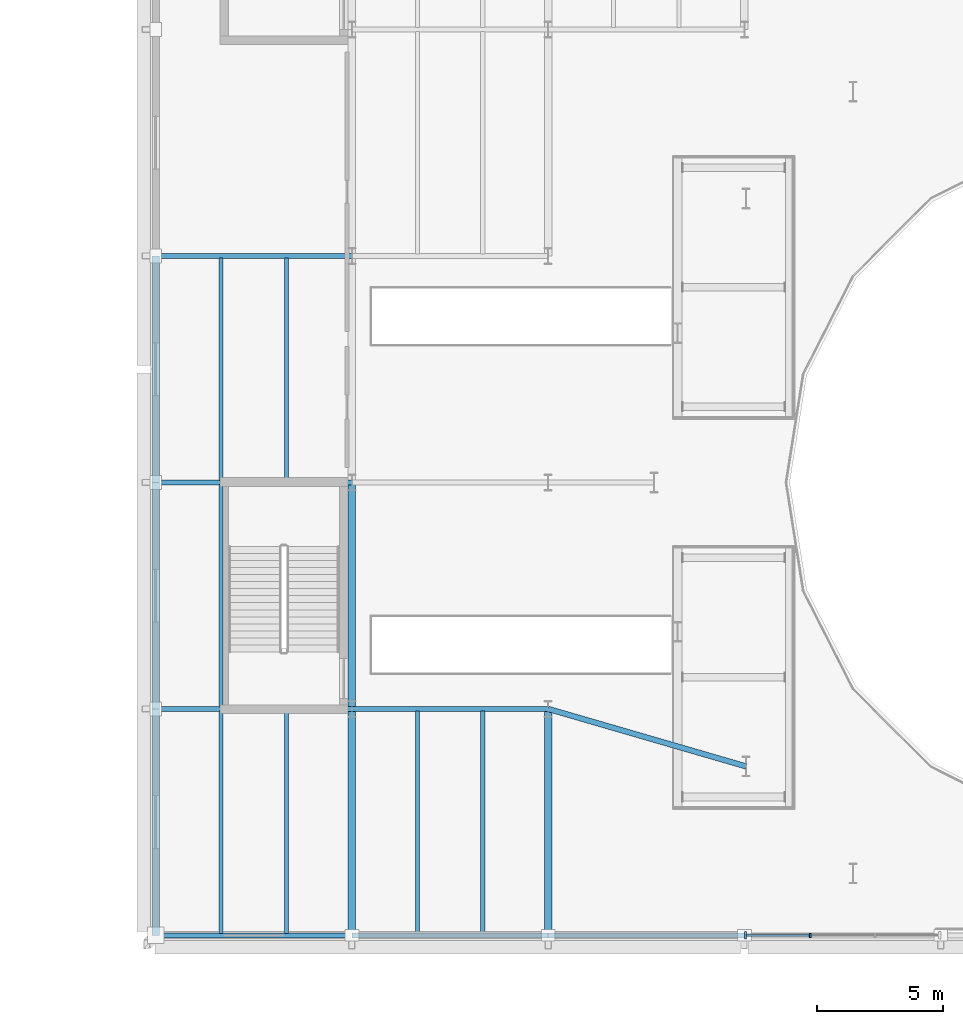
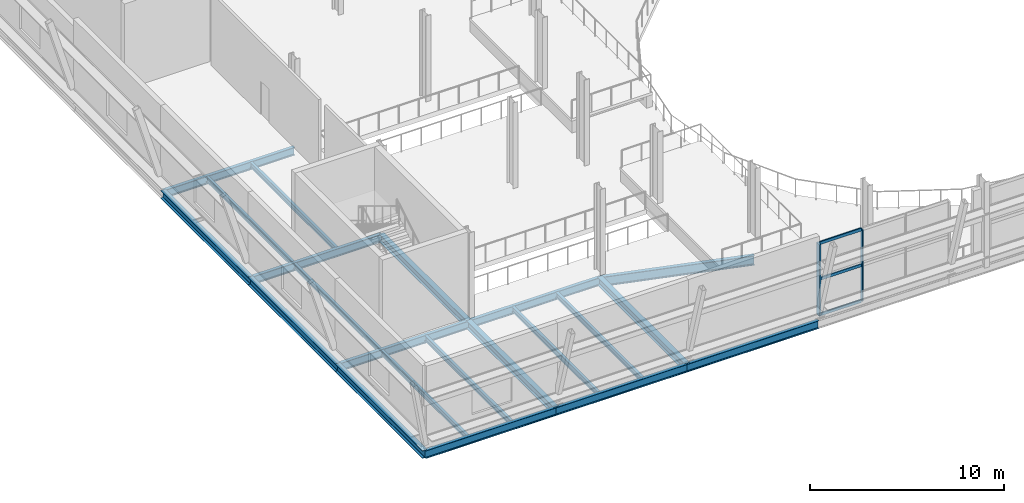
# One storey, part 16 of 78: 21 beams, 5 members, 1 element without a shape of its own.
"""IFC4 building model written with IfcOpenShell, lengths in metres."""

from ifc_helpers import new_model, si_unit, direction, frame, origin, origin_2d, place, context, subcontext, project, spatial, rectangle, i_section, extrude, material, layer, layer_set, material_profile, profile_set, type_object, element, aggregate, save


model = new_model("IFC4")

# Units and contexts
model_context = context("Model", 3, precision=1e-05, world=origin(), true_north=direction((0.0, 1.0)))
body_context = subcontext(model_context, "Body", "Model", "MODEL_VIEW")
ifc_project = project(units=[si_unit("LENGTHUNIT", "METRE"), si_unit("AREAUNIT", "SQUARE_METRE"), si_unit("VOLUMEUNIT", "CUBIC_METRE"), si_unit("PLANEANGLEUNIT", "RADIAN"), si_unit("MASSUNIT", "GRAM", prefix="KILO")], contexts=[model_context])

# Site, building, storey
site_placement = place(None, origin())
site = spatial("IfcSite", under=ifc_project, at=site_placement, CompositionType="ELEMENT")
building_placement = place(site_placement, origin())
building = spatial("IfcBuilding", under=site, at=building_placement, Name="Sefraquen Railside Congress Hotel", CompositionType="ELEMENT")
storey_placement = place(building_placement, frame((0.0, 0.0, 6.0)))
storey = spatial("IfcBuildingStorey", under=building, at=storey_placement, Name="L01", CompositionType="ELEMENT", Elevation=6.0)

# Beams
ifc_material_1 = material(Name="Steel S355JR", Category="steel")
ifc_material_profile_1 = material_profile(ifc_material_1, i_section(OverallWidth=0.199951171875, OverallDepth=0.5, WebThickness=0.01025390625, FlangeThickness=0.01611328125, FilletRadius=0.02099609375, at=origin_2d()), Name="IPE 500")
ifc_profile_set_1 = profile_set([ifc_material_profile_1], Name="Steel S355JR")
beam_type_1 = type_object("IfcBeamType", Name="TB-BM-500", PredefinedType="BEAM", material=ifc_profile_set_1)
for number, where, z_axis, x_axis, name in (
    (1, (25.199951171875, 9.0, -0.550048828125), (1.0, 0.0, 0.0), (0.0, 1.0, 0.0), "Primary girder BM-L01-0339"),
    (2, (33.0, 9.0, -0.550048828125), (1.0, 0.0, 0.0), (0.0, 1.0, 0.0), "Primary girder BM-L01-0340"),
    (3, (40.800048828125, 9.0, -0.550048828125), (1.0, 0.0, 0.0), (0.0, 1.0, 0.0), "Primary girder BM-L01-0341"),
    (4, (25.199951171875, 18.0, -0.550048828125), (1.0, 0.0, 0.0), (0.0, 1.0, 0.0), "Primary girder BM-L01-0355"),
    (5, (33.0, 18.0, -0.550048828125), (1.0, 0.0, 0.0), (0.0, 1.0, 0.0), "Primary girder BM-L01-0356"),
    (6, (25.199951171875, 27.0, -0.550048828125), (1.0, 0.0, 0.0), (0.0, 1.0, 0.0), "Primary girder BM-L01-0365"),
    (7, (25.199951171875, 36.0, -0.550048828125), (1.0, 0.0, 0.0), (0.0, 1.0, 0.0), "Primary girder BM-L01-0372"),
):
    element("IfcBeam", number, at=place(storey_placement, frame(where, z_axis=z_axis, x_axis=x_axis)), inside=storey, type_object=beam_type_1, Name=name, PredefinedType="BEAM", context=body_context, shape_type="SweptSolid", body=[
        extrude(i_section(OverallWidth=0.199951171875, OverallDepth=0.5, WebThickness=0.01025390625, FlangeThickness=0.01611328125, FilletRadius=0.02099609375, at=origin_2d()), origin(), (0.0, 0.0, 1.0), 7.800048828125),
    ])
ifc_material_profile_2 = material_profile(ifc_material_1, i_section(OverallWidth=0.300048828125, OverallDepth=0.489990234375, WebThickness=0.011962890625, FlangeThickness=0.02294921875, FilletRadius=0.027099609375, at=origin_2d()), Name="HEA 500")
ifc_profile_set_2 = profile_set([ifc_material_profile_2], Name="Steel S355JR")
beam_type_2 = type_object("IfcBeamType", Name="TB-GIR-500", PredefinedType="T_BEAM", material=ifc_profile_set_2)
for number, where, z_axis, x_axis, name in (
    (8, (25.199951171875, 9.0, -0.544921875), (0.0, 1.0, 0.0), (-1.0, 0.0, 0.0), "Floor beam BM-L01-0522"),
    (9, (25.199951171875, 18.0, -0.544921875), (0.0, 1.0, 0.0), (-1.0, 0.0, 0.0), "Floor beam BM-L01-0523"),
    (10, (25.199951171875, 27.0, -0.544921875), (0.0, 1.0, 0.0), (-1.0, 0.0, 0.0), "Floor beam BM-L01-0524"),
    (11, (33.0, 9.0, -0.544921875), (0.0, 1.0, 0.0), (-1.0, 0.0, 0.0), "Floor beam BM-L01-0535"),
    (12, (33.0, 18.0, -0.544921875), (0.0, 1.0, 0.0), (-1.0, 0.0, 0.0), "Floor beam BM-L01-0536"),
    (13, (40.800048828125, 9.0, -0.544921875), (0.0, 1.0, 0.0), (-1.0, 0.0, 0.0), "Floor beam BM-L01-0548"),
):
    element("IfcBeam", number, at=place(storey_placement, frame(where, z_axis=z_axis, x_axis=x_axis)), inside=storey, type_object=beam_type_2, Name=name, PredefinedType="T_BEAM", context=body_context, shape_type="SweptSolid", body=[
        extrude(i_section(OverallWidth=0.300048828125, OverallDepth=0.489990234375, WebThickness=0.011962890625, FlangeThickness=0.02294921875, FilletRadius=0.027099609375, at=origin_2d()), origin(), (0.0, 0.0, 1.0), 9.0),
    ])
ifc_material_profile_3 = material_profile(ifc_material_1, i_section(OverallWidth=0.219970703125, OverallDepth=0.60009765625, WebThickness=0.011962890625, FlangeThickness=0.01904296875, FilletRadius=0.02392578125, at=origin_2d()), Name="IPE 600")
ifc_profile_set_3 = profile_set([ifc_material_profile_3], Name="Steel S355JR")
beam_type_3 = type_object("IfcBeamType", Name="TB-GIR-600", PredefinedType="T_BEAM", material=ifc_profile_set_3)
beam_placement = place(storey_placement, frame((40.800048828125, 18.0, -0.60009765625), z_axis=(0.960298850568, -0.278973327753, 0.0), x_axis=(0.278973327753, 0.960298850568, 0.0)))
element("IfcBeam", 14, at=beam_placement, inside=storey, type_object=beam_type_3, Name="Canopy back-span header girder", PredefinedType="T_BEAM", context=body_context, shape_type="SweptSolid", body=[
    extrude(i_section(OverallWidth=0.219970703125, OverallDepth=0.60009765625, WebThickness=0.011962890625, FlangeThickness=0.01904296875, FilletRadius=0.02392578125, at=origin_2d()), origin(), (0.0, 0.0, 1.0), 8.192138671875),
])
ifc_material_profile_4 = material_profile(ifc_material_1, i_section(OverallWidth=0.159912109375, OverallDepth=0.330078125, WebThickness=0.007568359375, FlangeThickness=0.011474609375, FilletRadius=0.01806640625, at=origin_2d()), Name="IPE 330")
ifc_profile_set_4 = profile_set([ifc_material_profile_4], Name="Steel S355JR")
beam_type_4 = type_object("IfcBeamType", Name="TB-JST-330", PredefinedType="JOIST", material=ifc_profile_set_4)
for number, where, z_axis, x_axis, name in (
    (15, (27.800048828125, 9.080078125, -0.465087890625), (0.0, 1.0, 0.0), (-1.0, 0.0, 0.0), "Composite floor joist BM-L01-J0229"),
    (16, (30.39990234375, 9.080078125, -0.465087890625), (0.0, 1.0, 0.0), (-1.0, 0.0, 0.0), "Composite floor joist BM-L01-J0230"),
    (17, (27.800048828125, 18.080078125, -0.465087890625), (0.0, 1.0, 0.0), (-1.0, 0.0, 0.0), "Composite floor joist BM-L01-J0231"),
    (18, (27.800048828125, 27.080078125, -0.465087890625), (0.0, 1.0, 0.0), (-1.0, 0.0, 0.0), "Composite floor joist BM-L01-J0232"),
    (19, (30.39990234375, 27.080078125, -0.465087890625), (0.0, 1.0, 0.0), (-1.0, 0.0, 0.0), "Composite floor joist BM-L01-J0233"),
    (20, (35.60009765625, 9.080078125, -0.465087890625), (0.0, 1.0, 0.0), (-1.0, 0.0, 0.0), "Composite floor joist BM-L01-J0246"),
    (21, (38.199951171875, 9.080078125, -0.465087890625), (0.0, 1.0, 0.0), (-1.0, 0.0, 0.0), "Composite floor joist BM-L01-J0247"),
):
    element("IfcBeam", number, at=place(storey_placement, frame(where, z_axis=z_axis, x_axis=x_axis)), inside=storey, type_object=beam_type_4, Name=name, PredefinedType="JOIST", context=body_context, shape_type="SweptSolid", body=[
        extrude(i_section(OverallWidth=0.159912109375, OverallDepth=0.330078125, WebThickness=0.007568359375, FlangeThickness=0.011474609375, FilletRadius=0.01806640625, at=origin_2d()), origin(), (0.0, 0.0, 1.0), 8.83984375),
    ])

# Curtain wall, members
ifc_material_2 = material(Name="Thermally broken anodised aluminium and low-E double glazing", Category="aluminium")
ifc_layer = layer(ifc_material_2, 0.199951171875)
ifc_layer_set = layer_set([ifc_layer], Name="Thermally broken anodised aluminium and low-E double glazing")
curtain_wall_type = type_object("IfcCurtainWallType", Name="TCW-UCW-05", PredefinedType="USERDEFINED", material=ifc_layer_set)
curtain_wall_placement = place(storey_placement, origin())
curtain_wall = element("IfcCurtainWall", 22, at=curtain_wall_placement, inside=storey, type_object=curtain_wall_type, Name="Congress leaning south curtain wall L01-4", ObjectType="UNITISED CURTAIN WALL", PredefinedType="USERDEFINED")
ifc_material_3 = material(Name="Thermally broken anodised aluminium 6063-T6", Category="aluminium")
ifc_material_profile_5 = material_profile(ifc_material_3, rectangle(XDim=0.06494140625, YDim=0.179931640625, at=origin_2d()), Name="CWM 65x180")
ifc_profile_set_5 = profile_set([ifc_material_profile_5], Name="Thermally broken anodised aluminium 6063-T6")
member_type_1 = type_object("IfcMemberType", Name="TM-CWM-02", PredefinedType="MULLION", material=ifc_profile_set_5)
member_1_placement = place(storey_placement, frame((51.21337890625, 9.0, 0.0), z_axis=(0.0, 0.0, 1.0), x_axis=(1.0, 0.0, 0.0)))
member_1 = element("IfcMember", 23, at=member_1_placement, type_object=member_type_1, Name="CW-L01-037 mullion 2", PredefinedType="MULLION", context=body_context, shape_type="SweptSolid", body=[
    extrude(rectangle(XDim=0.06494140625, YDim=0.179931640625, at=origin_2d()), origin(), (0.0, 0.0, 1.0), 4.5),
])
ifc_material_profile_6 = material_profile(ifc_material_3, rectangle(XDim=0.094970703125, YDim=0.300048828125, at=origin_2d()), Name="CWM 95x300")
ifc_profile_set_6 = profile_set([ifc_material_profile_6], Name="Thermally broken anodised aluminium 6063-T6")
member_type_2 = type_object("IfcMemberType", Name="TM-CWM-08", PredefinedType="MULLION", material=ifc_profile_set_6)
member_2_placement = place(storey_placement, frame((48.639892578125, 9.0, 0.0), z_axis=(0.0, 0.0, 1.0), x_axis=(1.0, 0.0, 0.0)))
member_2 = element("IfcMember", 24, at=member_2_placement, type_object=member_type_2, Name="CW-L01-037 mullion 1", PredefinedType="MULLION", context=body_context, shape_type="SweptSolid", body=[
    extrude(rectangle(XDim=0.094970703125, YDim=0.300048828125, at=origin_2d()), origin(), (0.0, 0.0, 1.0), 4.5),
])
ifc_material_profile_7 = material_profile(ifc_material_3, rectangle(XDim=0.080078125, YDim=0.179931640625, at=origin_2d()), Name="CWT 80x180")
ifc_profile_set_7 = profile_set([ifc_material_profile_7], Name="Thermally broken anodised aluminium 6063-T6")
member_type_3 = type_object("IfcMemberType", Name="TM-CWT-05", PredefinedType="USERDEFINED", material=ifc_profile_set_7)
member_3_placement = place(storey_placement, frame((48.68505859375, 9.0, 0.0), z_axis=(1.0, 0.0, 0.0), x_axis=(0.0, 1.0, 0.0)))
member_3 = element("IfcMember", 25, at=member_3_placement, type_object=member_type_3, Name="CW-L01-037 transom 1.1", ObjectType="TRANSOM", PredefinedType="USERDEFINED", context=body_context, shape_type="SweptSolid", body=[
    extrude(rectangle(XDim=0.080078125, YDim=0.179931640625, at=origin_2d()), origin(), (0.0, 0.0, 1.0), 2.483154296875),
])
member_4_placement = place(storey_placement, frame((48.68505859375, 9.0, 2.25), z_axis=(1.0, 0.0, 0.0), x_axis=(0.0, 1.0, 0.0)))
member_4 = element("IfcMember", 26, at=member_4_placement, type_object=member_type_3, Name="CW-L01-037 transom 2.1", ObjectType="TRANSOM", PredefinedType="USERDEFINED", context=body_context, shape_type="SweptSolid", body=[
    extrude(rectangle(XDim=0.080078125, YDim=0.179931640625, at=origin_2d()), origin(), (0.0, 0.0, 1.0), 2.483154296875),
])
member_5_placement = place(storey_placement, frame((48.68505859375, 9.0, 4.5), z_axis=(1.0, 0.0, 0.0), x_axis=(0.0, 1.0, 0.0)))
member_5 = element("IfcMember", 27, at=member_5_placement, type_object=member_type_3, Name="CW-L01-037 transom 3.1", ObjectType="TRANSOM", PredefinedType="USERDEFINED", context=body_context, shape_type="SweptSolid", body=[
    extrude(rectangle(XDim=0.080078125, YDim=0.179931640625, at=origin_2d()), origin(), (0.0, 0.0, 1.0), 2.483154296875),
])
aggregate(curtain_wall, [member_2, member_1, member_3, member_4, member_5])

save(model, "model.ifc")
